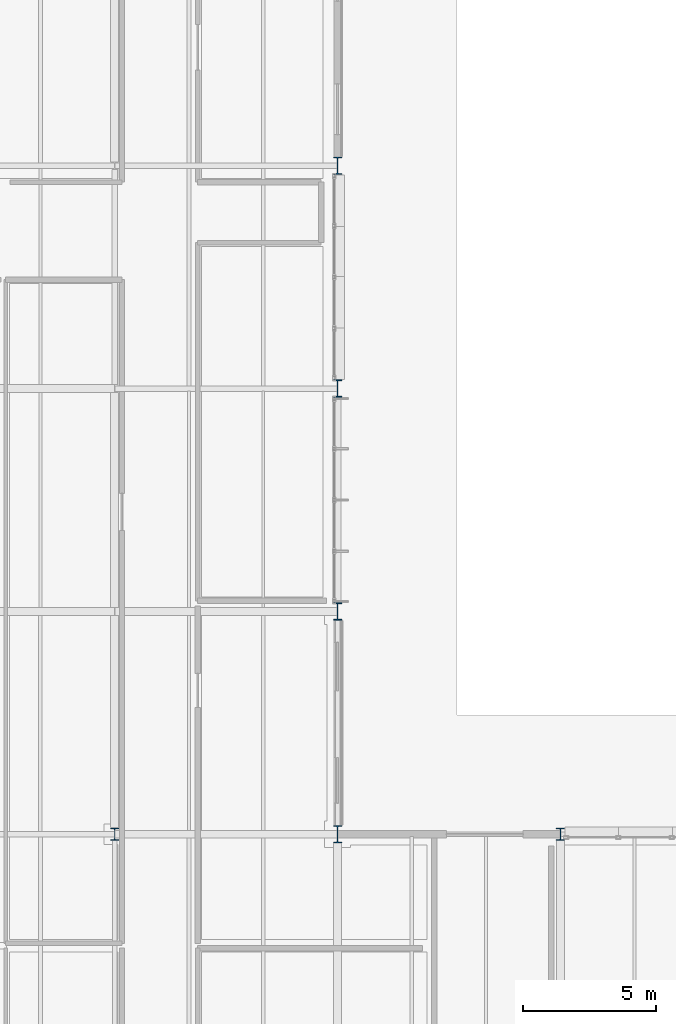
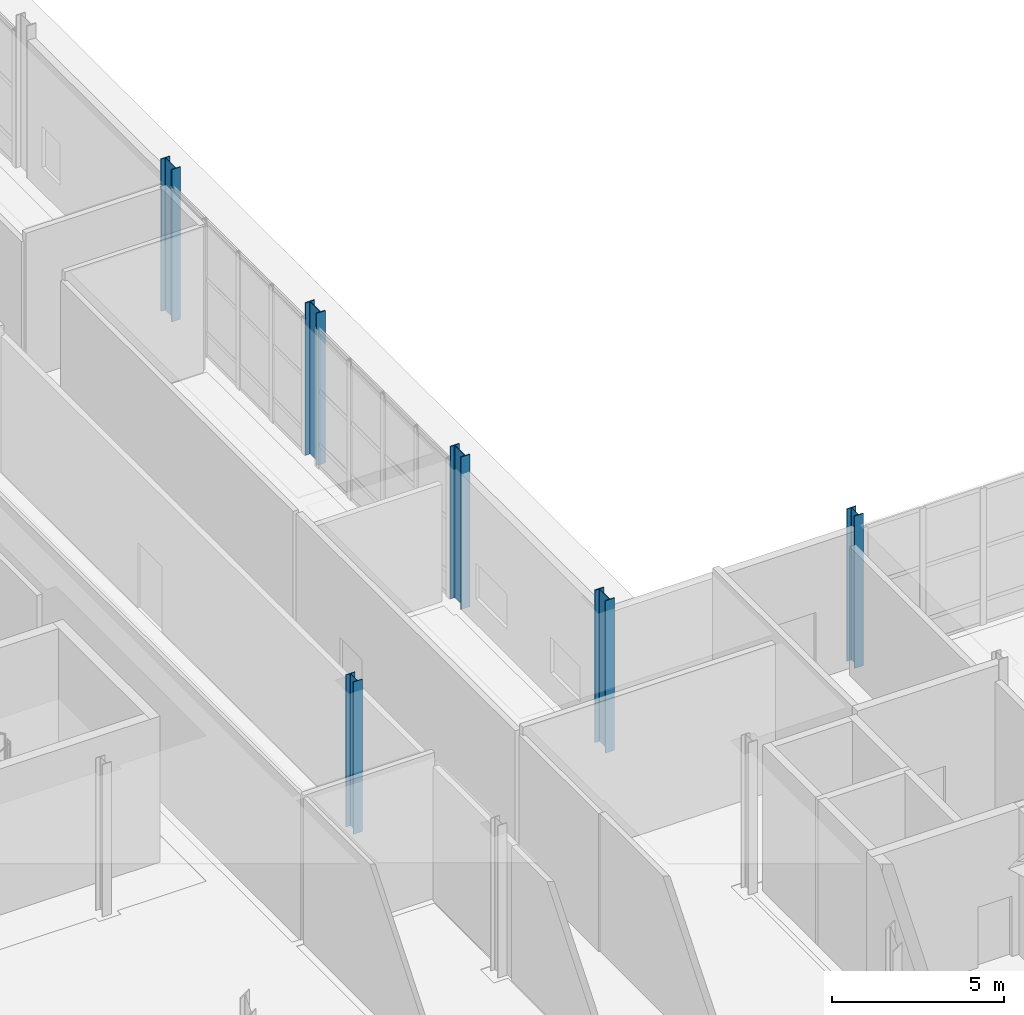
# One storey, part 7 of 124: 6 columns.
"""IFC4 building model written with IfcOpenShell, lengths in metres."""

from ifc_helpers import new_model, si_unit, direction, frame, origin, origin_2d, place, context, subcontext, project, spatial, i_section, extrude, material, material_profile, profile_set, type_object, element, save


model = new_model("IFC4")

# Units and contexts
model_context = context("Model", 3, precision=1e-05, world=origin(), true_north=direction((0.0, 1.0)))
body_context = subcontext(model_context, "Body", "Model", "MODEL_VIEW")
ifc_project = project(units=[si_unit("LENGTHUNIT", "METRE"), si_unit("AREAUNIT", "SQUARE_METRE"), si_unit("VOLUMEUNIT", "CUBIC_METRE"), si_unit("PLANEANGLEUNIT", "RADIAN"), si_unit("MASSUNIT", "GRAM", prefix="KILO")], contexts=[model_context])

# Site, building, storey
site_placement = place(None, origin())
site = spatial("IfcSite", under=ifc_project, at=site_placement, CompositionType="ELEMENT")
building_placement = place(site_placement, origin())
building = spatial("IfcBuilding", under=site, at=building_placement, Name="Mersafa Astral City Hall", CompositionType="ELEMENT")
storey_placement = place(building_placement, origin())
storey = spatial("IfcBuildingStorey", under=building, at=storey_placement, Name="L00", CompositionType="ELEMENT", Elevation=0.0)

# Columns
ifc_material = material(Name="Steel S355", Category="steel")
ifc_material_profile_1 = material_profile(ifc_material, i_section(OverallWidth=0.300048828125, OverallDepth=0.449951171875, WebThickness=0.013916015625, FlangeThickness=0.02587890625, FilletRadius=0.027099609375, at=origin_2d()), Name="HEB 450")
ifc_profile_set_1 = profile_set([ifc_material_profile_1], Name="Steel S355")
column_type_1 = type_object("IfcColumnType", Name="STR-COL-HEB450", PredefinedType="COLUMN", material=ifc_profile_set_1)
for number, where, z_axis, x_axis, name in (
    (1, (109.199951171875, 33.60009765625, 0.0), (0.0, 0.0, 1.0), (1.0, 0.0, 0.0), "L00 Structural column G-13-04"),
    (2, (126.0, 33.60009765625, 0.0), (0.0, 0.0, 1.0), (1.0, 0.0, 0.0), "L00 Structural column G-15-04"),
):
    element("IfcColumn", number, at=place(storey_placement, frame(where, z_axis=z_axis, x_axis=x_axis)), inside=storey, type_object=column_type_1, Name=name, PredefinedType="COLUMN", context=body_context, shape_type="SweptSolid", body=[
        extrude(i_section(OverallWidth=0.300048828125, OverallDepth=0.449951171875, WebThickness=0.013916015625, FlangeThickness=0.02587890625, FilletRadius=0.027099609375, at=origin_2d()), origin(), (0.0, 0.0, 1.0), 5.39990234375),
    ])
ifc_material_profile_2 = material_profile(ifc_material, i_section(OverallWidth=0.300048828125, OverallDepth=0.64990234375, WebThickness=0.01611328125, FlangeThickness=0.031005859375, FilletRadius=0.027099609375, at=origin_2d()), Name="HEB 650")
ifc_profile_set_2 = profile_set([ifc_material_profile_2], Name="Steel S355")
column_type_2 = type_object("IfcColumnType", Name="STR-COL-HEB650", PredefinedType="COLUMN", material=ifc_profile_set_2)
for number, where, z_axis, x_axis, name in (
    (3, (117.60009765625, 33.60009765625, 0.0), (0.0, 0.0, 1.0), (1.0, 0.0, 0.0), "L00 Structural column G-14-04"),
    (4, (117.60009765625, 42.0, 0.0), (0.0, 0.0, 1.0), (1.0, 0.0, 0.0), "L00 Structural column G-14-05"),
    (5, (117.60009765625, 50.39990234375, 0.0), (0.0, 0.0, 1.0), (1.0, 0.0, 0.0), "L00 Structural column G-14-06"),
    (6, (117.60009765625, 58.800048828125, 0.0), (0.0, 0.0, 1.0), (1.0, 0.0, 0.0), "L00 Structural column G-14-07"),
):
    element("IfcColumn", number, at=place(storey_placement, frame(where, z_axis=z_axis, x_axis=x_axis)), inside=storey, type_object=column_type_2, Name=name, PredefinedType="COLUMN", context=body_context, shape_type="SweptSolid", body=[
        extrude(i_section(OverallWidth=0.300048828125, OverallDepth=0.64990234375, WebThickness=0.01611328125, FlangeThickness=0.031005859375, FilletRadius=0.027099609375, at=origin_2d()), origin(), (0.0, 0.0, 1.0), 5.39990234375),
    ])

save(model, "model.ifc")
